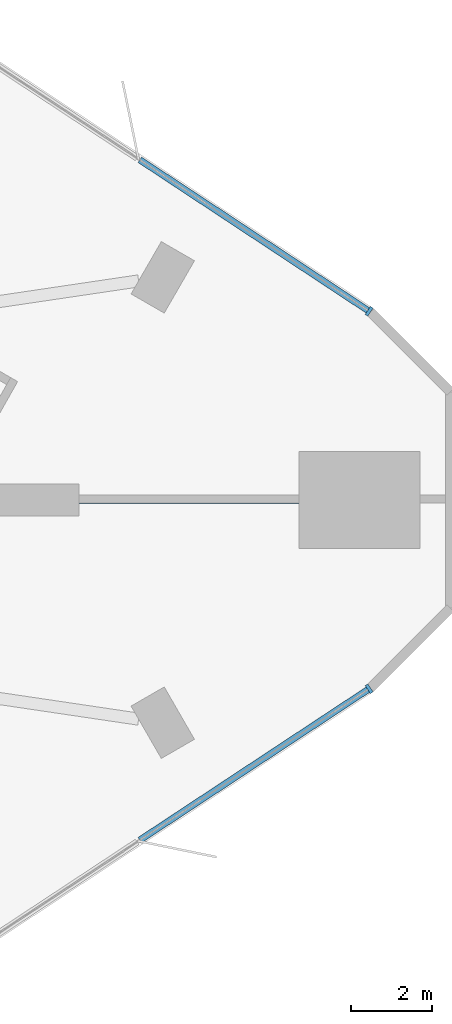
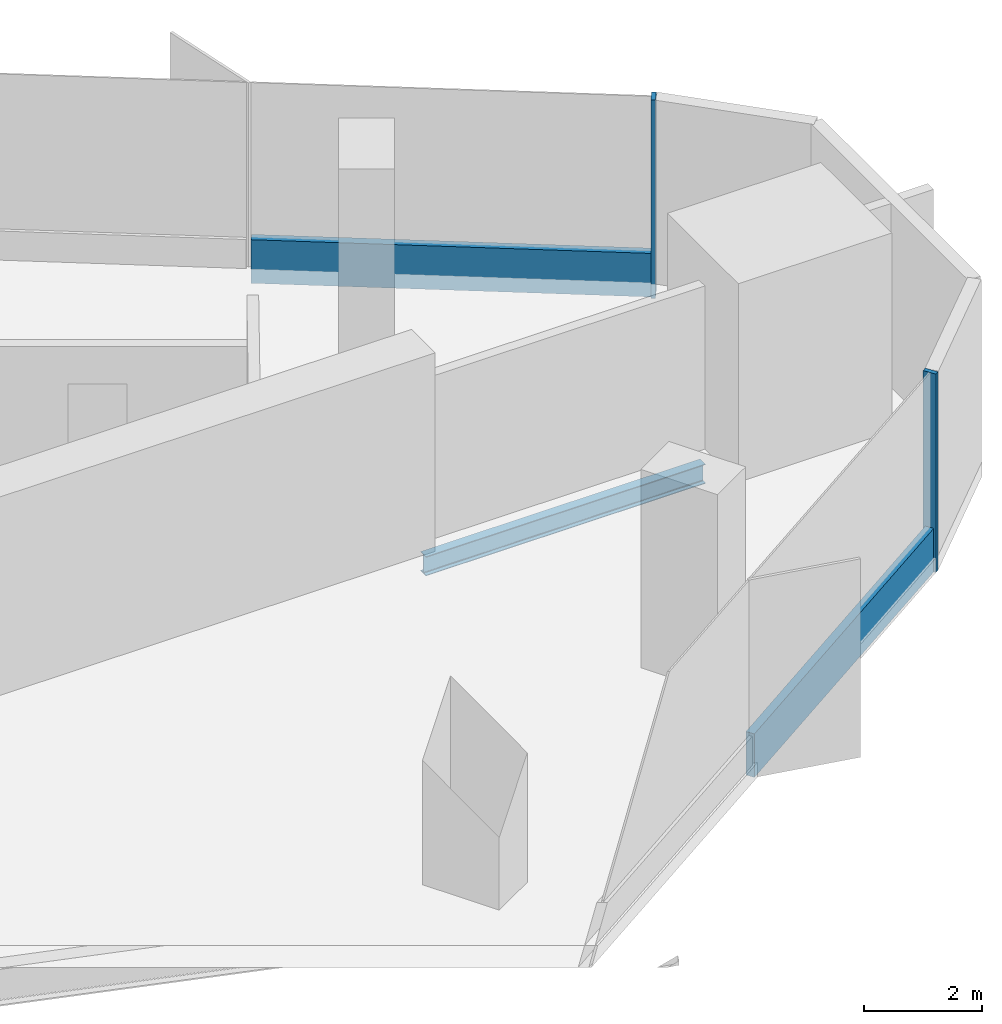
# One storey, part 6 of 14: 4 members, 1 beam, 2 elements without a shape of their own.
"""IFC4 building model written with IfcOpenShell, lengths in metres."""

from ifc_helpers import new_model, si_unit, direction, frame, origin, origin_2d, place, context, subcontext, project, spatial, rectangle, i_section, extrude, material, material_profile, profile_set, type_object, element, aggregate, save


model = new_model("IFC4")

# Units and contexts
model_context = context("Model", 3, precision=1e-05, world=origin(), true_north=direction((0.0, 1.0)))
body_context = subcontext(model_context, "Body", "Model", "MODEL_VIEW")
ifc_project = project(units=[si_unit("LENGTHUNIT", "METRE"), si_unit("AREAUNIT", "SQUARE_METRE"), si_unit("VOLUMEUNIT", "CUBIC_METRE"), si_unit("PLANEANGLEUNIT", "RADIAN"), si_unit("MASSUNIT", "GRAM", prefix="KILO")], contexts=[model_context])

# Site, building, storey
site_placement = place(None, origin())
site = spatial("IfcSite", under=ifc_project, at=site_placement, CompositionType="ELEMENT")
building_placement = place(site_placement, origin())
building = spatial("IfcBuilding", under=site, at=building_placement, Name="Tanit Gate Tower", CompositionType="ELEMENT")
storey_placement = place(building_placement, frame((0.0, 0.0, 49.60009765625)))
storey = spatial("IfcBuildingStorey", under=building, at=storey_placement, Name="L08", CompositionType="ELEMENT", Elevation=49.60009765625)

# Curtain wall, member
ifc_material_1 = material(Name="Aluminium bronze anodised and glass", Category="aluminium")
curtain_wall_type = type_object("IfcCurtainWallType", Name="Curtain wall typical low", PredefinedType="NOTDEFINED", material=ifc_material_1)
curtain_wall_1_placement = place(storey_placement, origin())
curtain_wall_1 = element("IfcCurtainWall", 1, at=curtain_wall_1_placement, inside=storey, type_object=curtain_wall_type, Name="Curtain wall L08 NE1", PredefinedType="NOTDEFINED")
ifc_material_2 = material(Name="Aluminium bronze anodised", Category="aluminium")
ifc_material_profile_1 = material_profile(ifc_material_2, rectangle(XDim=0.239990234375, YDim=0.080078125, at=origin_2d()), Name="80x240 bronze mullion")
ifc_profile_set_1 = profile_set([ifc_material_profile_1], Name="Aluminium bronze anodised")
member_type_1 = type_object("IfcMemberType", Name="Mullion 80x240 typical low", PredefinedType="MULLION", material=ifc_profile_set_1)
member_1_placement = place(storey_placement, frame((42.453857421875, 4.68798828125, -0.300048828125), z_axis=(0.0, 0.0, 1.0), x_axis=(-0.550903155031, -0.834569178545, 0.0)))
member_1 = element("IfcMember", 2, at=member_1_placement, type_object=member_type_1, Name="Mullion L08 NE1.1", PredefinedType="MULLION", context=body_context, shape_type="SweptSolid", body=[
    extrude(rectangle(XDim=0.239990234375, YDim=0.080078125, at=origin_2d()), origin(), (0.0, 0.0, 1.0), 4.099853515625),
])

curtain_wall_2_placement = place(storey_placement, origin())
curtain_wall_2 = element("IfcCurtainWall", 3, at=curtain_wall_2_placement, inside=storey, type_object=curtain_wall_type, Name="Curtain wall L08 SE3", PredefinedType="NOTDEFINED")
member_2_placement = place(storey_placement, frame((42.453857421875, -4.687744140625, -0.300048828125), z_axis=(0.0, 0.0, 1.0), x_axis=(-0.550730158129, 0.834683348898, 0.0)))
member_2 = element("IfcMember", 4, at=member_2_placement, type_object=member_type_1, Name="Mullion L08 SE3.3", PredefinedType="MULLION", context=body_context, shape_type="SweptSolid", body=[
    extrude(rectangle(XDim=0.239990234375, YDim=0.080078125, at=origin_2d()), origin(), (0.0, 0.0, 1.0), 4.099853515625),
])

# Beam
ifc_material_3 = material(Name="Steel S355", Category="steel")
ifc_material_profile_2 = material_profile(ifc_material_3, i_section(OverallWidth=0.179931640625, OverallDepth=0.39990234375, WebThickness=0.008544921875, FlangeThickness=0.013427734375, FilletRadius=0.02099609375, at=origin_2d()), Name="IPE 400")
ifc_profile_set_2 = profile_set([ifc_material_profile_2], Name="Steel S355")
beam_type = type_object("IfcBeamType", Name="RADIAL GIRDER IPE 400 S355", PredefinedType="BEAM", material=ifc_profile_set_2)
beam_placement = place(storey_placement, frame((40.711181640625, 0.0, -0.5), z_axis=(-1.0, 0.0, 0.0), x_axis=(0.0, -1.0, 0.0)))
element("IfcBeam", 5, at=beam_placement, inside=storey, type_object=beam_type, Name="RADIAL GIRDER", PredefinedType="BEAM", context=body_context, shape_type="SweptSolid", body=[
    extrude(i_section(OverallWidth=0.179931640625, OverallDepth=0.39990234375, WebThickness=0.008544921875, FlangeThickness=0.013427734375, FilletRadius=0.02099609375, at=origin_2d()), origin(), (0.0, 0.0, 1.0), 5.463134765625),
])

# Member
ifc_material_4 = material(Name="Aluminium bronze anodised", Category="aluminium")
ifc_material_profile_3 = material_profile(ifc_material_4, rectangle(XDim=0.159912109375, YDim=0.89990234375, at=origin_2d()), Name="160x900 bronze transom")
ifc_profile_set_3 = profile_set([ifc_material_profile_3], Name="Aluminium bronze anodised")
member_type_2 = type_object("IfcMemberType", Name="Transom 160x900 typical low", PredefinedType="USERDEFINED", material=ifc_profile_set_3)
member_3_placement = place(storey_placement, frame((42.42041015625, 4.7099609375, 0.14990234375), z_axis=(-0.834562062149, 0.550913935585, 0.0), x_axis=(-0.550913935585, -0.834562062149, 0.0)))
member_3 = element("IfcMember", 6, at=member_3_placement, type_object=member_type_2, Name="Transom L08 NE1.1", ObjectType="TRANSOM", PredefinedType="USERDEFINED", context=body_context, shape_type="SweptSolid", body=[
    extrude(rectangle(XDim=0.159912109375, YDim=0.89990234375, at=origin_2d()), origin(), (0.0, 0.0, 1.0), 6.78076171875),
])

aggregate(curtain_wall_1, [member_1, member_3])

member_4_placement = place(storey_placement, frame((36.7607421875, -8.4443359375, 0.14990234375), z_axis=(0.834677598781, 0.550738872873, 0.0), x_axis=(-0.550738872873, 0.834677598781, 0.0)))
member_4 = element("IfcMember", 7, at=member_4_placement, type_object=member_type_2, Name="Transom L08 SE3.2", ObjectType="TRANSOM", PredefinedType="USERDEFINED", context=body_context, shape_type="SweptSolid", body=[
    extrude(rectangle(XDim=0.159912109375, YDim=0.89990234375, at=origin_2d()), origin(), (0.0, 0.0, 1.0), 6.78076171875),
])

aggregate(curtain_wall_2, [member_2, member_4])

save(model, "model.ifc")
